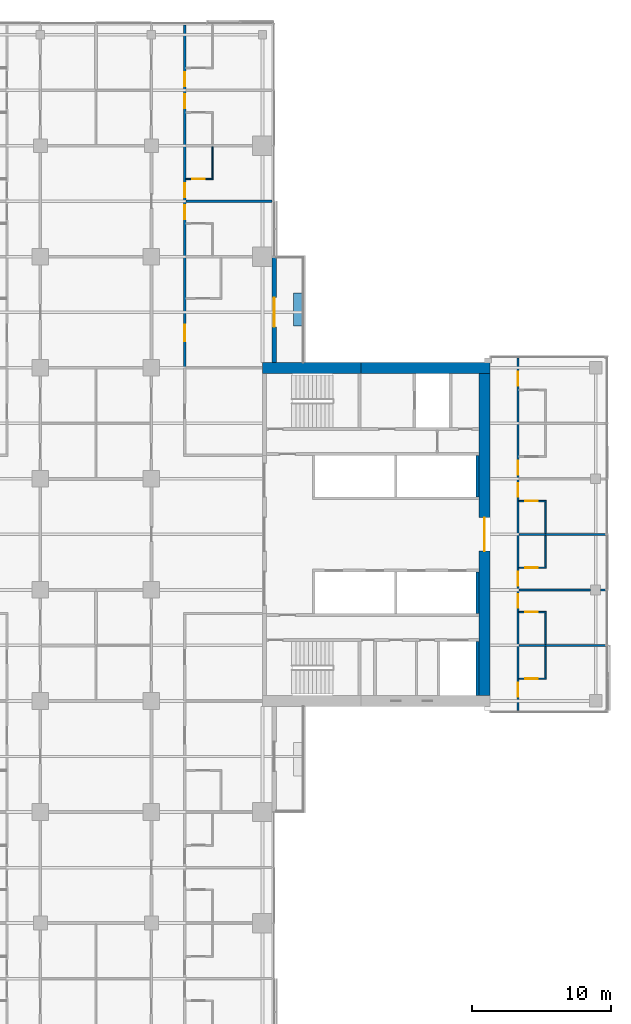
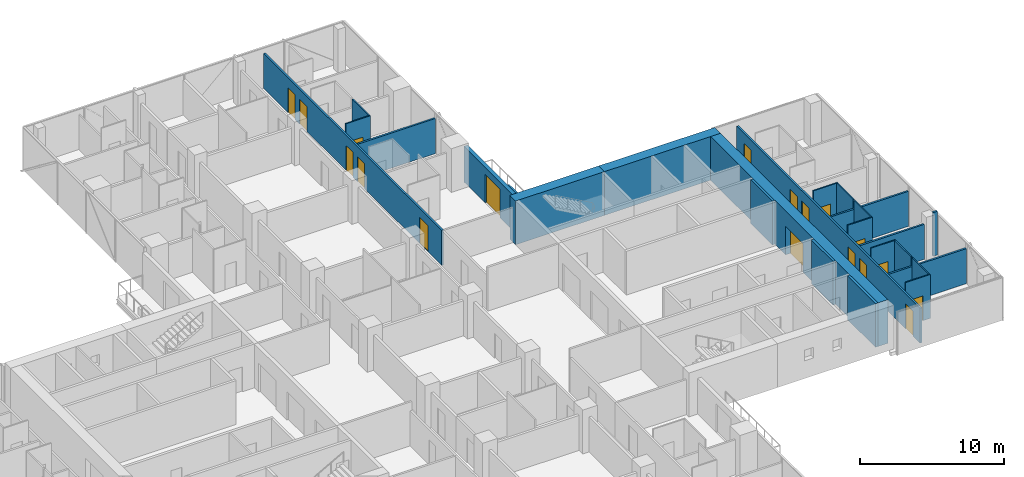
# One storey, part 22 of 29: 25 walls, 18 doors, 18 openings.
"""IFC4 building model written with IfcOpenShell, lengths in metres."""

from ifc_helpers import new_model, si_unit, direction, frame, frame_2d, origin, place, context, subcontext, project, spatial, rectangle, extrude, material, layer, layer_set, constituent, constituent_set, type_object, element, fill, save


model = new_model("IFC4")

# Units and contexts
model_context = context("Model", 3, precision=1e-05, world=origin(), true_north=direction((0.0, 1.0)))
body_context = subcontext(model_context, "Body", "Model", "MODEL_VIEW")
ifc_project = project(units=[si_unit("LENGTHUNIT", "METRE"), si_unit("AREAUNIT", "SQUARE_METRE"), si_unit("VOLUMEUNIT", "CUBIC_METRE"), si_unit("PLANEANGLEUNIT", "RADIAN"), si_unit("MASSUNIT", "GRAM", prefix="KILO")], contexts=[model_context])

# Site, building, storey
site_placement = place(None, origin())
site = spatial("IfcSite", under=ifc_project, at=site_placement, CompositionType="ELEMENT")
building_placement = place(site_placement, origin())
building = spatial("IfcBuilding", under=site, at=building_placement, Name="Crosswind Convention Tower", CompositionType="ELEMENT")
storey_placement = place(building_placement, frame((0.0, 0.0, 60.89990234375)))
storey = spatial("IfcBuildingStorey", under=building, at=storey_placement, Name="L09", CompositionType="ELEMENT", Elevation=60.89990234375)

# Wall, opening, door
ifc_material_1 = material(Name="Concrete C60/75", Category="concrete")
ifc_layer_1 = layer(ifc_material_1, 0.800048828125)
ifc_layer_set_1 = layer_set([ifc_layer_1], Name="Concrete C60/75")
wall_type_1 = type_object("IfcWallType", Name="Concrete core wall 800", PredefinedType="SHEAR", material=ifc_layer_set_1)
wall_1_placement = place(storey_placement, frame((153.0, 88.39990234375, 0.0), z_axis=(0.0, 0.0, 1.0), x_axis=(0.0, 1.0, 0.0)))
wall_1 = element("IfcWall", 1, at=wall_1_placement, inside=storey, type_object=wall_type_1, Name="Wall O E L09", PredefinedType="SHEAR", context=body_context, shape_type="SweptSolid", body=[
    extrude(rectangle(XDim=23.2001953125, YDim=0.800048828125, at=frame_2d((11.60009765625, 0.0))), origin(), (0.0, 0.0, 1.0), 3.7001953125),
])
opening_1_placement = place(wall_1_placement, frame((10.39990234375, 0.0, 0.0)))
opening_1 = element("IfcOpeningElement", 2, at=opening_1_placement, cuts=wall_1, Name="Opening D100", PredefinedType="OPENING", context=body_context, shape_type="SweptSolid", body=[
    extrude(rectangle(XDim=2.39990234375, YDim=2.39990234375, at=frame_2d((1.199951171875, 1.199951171875))), frame((0.0, 0.409912109375, 0.0), z_axis=(0.0, -1.0, 0.0), x_axis=(1.0, 0.0, 0.0)), (0.0, 0.0, 1.0), 0.820068359375),
])
ifc_material_2 = material(Name="Steel fire door with glazed vision panels", Category="steel")
door_type_1 = type_object("IfcDoorType", Name="Fire-rated double door 2400x2400", OperationType="DOUBLE_DOOR_SINGLE_SWING", PredefinedType="DOOR", material=ifc_material_2)
door_1_placement = place(opening_1_placement, origin())
door_1 = element("IfcDoor", 3, at=door_1_placement, inside=storey, type_object=door_type_1, Name="Lobby outer door L09", ObjectType="D100", OperationType="DOUBLE_DOOR_SINGLE_SWING", OverallHeight=2.39990234375, OverallWidth=2.39990234375, PredefinedType="DOOR", context=body_context, shape_type="SweptSolid", body=[
    extrude(rectangle(XDim=2.39990234375, YDim=2.39990234375, at=frame_2d((1.199951171875, 1.199951171875))), frame((0.0, 0.02490234375, 0.0), z_axis=(0.0, -1.0, 0.0), x_axis=(1.0, 0.0, 0.0)), (0.0, 0.0, 1.0), 0.050048828125),
])
fill(opening_1, door_1)

# Walls
ifc_material_3 = material(Name="Concrete C50/60", Category="concrete")
ifc_layer_2 = layer(ifc_material_3, 0.199951171875)
ifc_layer_set_2 = layer_set([ifc_layer_2], Name="Concrete C50/60")
wall_type_2 = type_object("IfcWallType", Name="Concrete shaft and stair wall 200", PredefinedType="SHEAR", material=ifc_layer_set_2)
for number, where, z_axis, x_axis, name in (
    (4, (152.5, 102.699951171875, 0.0), (0.0, 0.0, 1.0), (0.0, 1.0, 0.0), "Wall RPEAST E L09"),
    (5, (152.5, 94.300048828125, 0.0), (0.0, 0.0, 1.0), (0.0, 1.0, 0.0), "Wall RMEAST E L09"),
):
    element("IfcWall", number, at=place(storey_placement, frame(where, z_axis=z_axis, x_axis=x_axis)), inside=storey, type_object=wall_type_2, Name=name, PredefinedType="SHEAR", context=body_context, shape_type="SweptSolid", body=[
        extrude(rectangle(XDim=3.0, YDim=0.199951171875, at=frame_2d((1.5, 0.0))), origin(), (0.0, 0.0, 1.0), 3.7001953125),
    ])
wall_2_placement = place(storey_placement, frame((152.5, 88.39990234375, 0.0), z_axis=(0.0, 0.0, 1.0), x_axis=(0.0, 1.0, 0.0)))
element("IfcWall", 6, at=wall_2_placement, inside=storey, type_object=wall_type_2, Name="Wall MFSE E L09", PredefinedType="SHEAR", context=body_context, shape_type="SweptSolid", body=[
    extrude(rectangle(XDim=3.900146484375, YDim=0.199951171875, at=frame_2d((1.9501953125, 0.0))), origin(), (0.0, 0.0, 1.0), 3.7001953125),
])
ifc_material_4 = material(Name="Acoustic plasterboard partition", Category="gypsum")
ifc_layer_3 = layer(ifc_material_4, 0.14990234375)
ifc_layer_set_3 = layer_set([ifc_layer_3], Name="GUEST ROOM WALL 150")
wall_type_3 = type_object("IfcWallType", Name="GUEST ROOM WALL 150", PredefinedType="PARTITIONING", material=ifc_layer_set_3)
wall_3_placement = place(storey_placement, frame((155.47509765625, 92.0, 0.0), z_axis=(0.0, 0.0, 1.0), x_axis=(1.0, 0.0, 0.0)))
element("IfcWall", 7, at=wall_3_placement, inside=storey, type_object=wall_type_3, Name="Guest Room Wall 30", PredefinedType="PARTITIONING", context=body_context, shape_type="SweptSolid", body=[
    extrude(rectangle(XDim=6.224853515625, YDim=0.14990234375, at=frame_2d((3.1123046875, 0.0))), origin(), (0.0, 0.0, 1.0), 2.962890625),
])
wall_4_placement = place(storey_placement, frame((155.47509765625, 96.0, 0.0), z_axis=(0.0, 0.0, 1.0), x_axis=(1.0, 0.0, 0.0)))
element("IfcWall", 8, at=wall_4_placement, inside=storey, type_object=wall_type_3, Name="Guest Room Wall 39", PredefinedType="PARTITIONING", context=body_context, shape_type="SweptSolid", body=[
    extrude(rectangle(XDim=5.1748046875, YDim=0.14990234375, at=frame_2d((2.58740234375, 0.0))), origin(), (0.0, 0.0, 1.0), 2.95654296875),
])
wall_5_placement = place(storey_placement, frame((161.35009765625, 96.0, 0.0), z_axis=(0.0, 0.0, 1.0), x_axis=(1.0, 0.0, 0.0)))
element("IfcWall", 9, at=wall_5_placement, inside=storey, type_object=wall_type_3, Name="Guest Room Wall 40", PredefinedType="PARTITIONING", context=body_context, shape_type="SweptSolid", body=[
    extrude(rectangle(XDim=0.349853515625, YDim=0.14990234375, at=frame_2d((0.1748046875, 0.0))), origin(), (0.0, 0.0, 1.0), 3.7001953125),
])
for number, where, z_axis, x_axis, name in (
    (10, (155.47509765625, 100.0, 0.0), (0.0, 0.0, 1.0), (1.0, 0.0, 0.0), "Guest Room Wall 44"),
    (11, (131.47509765625, 124.0, 0.0), (0.0, 0.0, 1.0), (1.0, 0.0, 0.0), "Guest Room Wall 72"),
):
    element("IfcWall", number, at=place(storey_placement, frame(where, z_axis=z_axis, x_axis=x_axis)), inside=storey, type_object=wall_type_3, Name=name, PredefinedType="PARTITIONING", context=body_context, shape_type="SweptSolid", body=[
        extrude(rectangle(XDim=6.224853515625, YDim=0.14990234375, at=frame_2d((3.1123046875, 0.0))), origin(), (0.0, 0.0, 1.0), 2.962890625),
    ])

# Wall, openings, doors
wall_6_placement = place(storey_placement, frame((131.39990234375, 112.0, 0.0), z_axis=(0.0, 0.0, 1.0), x_axis=(0.0, 1.0, 0.0)))
wall_6 = element("IfcWall", 12, at=wall_6_placement, inside=storey, type_object=wall_type_3, Name="Guest Room Wall 142", PredefinedType="PARTITIONING", context=body_context, shape_type="SweptSolid", body=[
    extrude(rectangle(XDim=24.699951171875, YDim=0.14990234375, at=frame_2d((12.35009765625, 0.0))), origin(), (0.0, 0.0, 1.0), 2.95654296875),
])
opening_2_placement = place(wall_6_placement, frame((1.89990234375, 0.0, 0.0)))
opening_2 = element("IfcOpeningElement", 13, at=opening_2_placement, cuts=wall_6, Name="Opening 09.005", PredefinedType="OPENING", context=body_context, shape_type="SweptSolid", body=[
    extrude(rectangle(XDim=1.199951171875, YDim=2.199951171875, at=frame_2d((0.60009765625, 1.10009765625))), frame((0.0, 0.0849609375, 0.0), z_axis=(0.0, -1.0, 0.0), x_axis=(1.0, 0.0, 0.0)), (0.0, 0.0, 1.0), 0.169921875),
])
opening_3_placement = place(wall_6_placement, frame((10.699951171875, 0.0, 0.0)))
opening_3 = element("IfcOpeningElement", 14, at=opening_3_placement, cuts=wall_6, Name="Opening 09.007", PredefinedType="OPENING", context=body_context, shape_type="SweptSolid", body=[
    extrude(rectangle(XDim=1.0, YDim=2.10009765625, at=frame_2d((0.5, 1.050048828125))), frame((0.0, 0.0849609375, 0.0), z_axis=(0.0, -1.0, 0.0), x_axis=(1.0, 0.0, 0.0)), (0.0, 0.0, 1.0), 0.169921875),
])
opening_4_placement = place(wall_6_placement, frame((12.300048828125, 0.0, 0.0)))
opening_4 = element("IfcOpeningElement", 15, at=opening_4_placement, cuts=wall_6, Name="Opening 09.009", PredefinedType="OPENING", context=body_context, shape_type="SweptSolid", body=[
    extrude(rectangle(XDim=1.0, YDim=2.10009765625, at=frame_2d((0.5, 1.050048828125))), frame((0.0, 0.0849609375, 0.0), z_axis=(0.0, -1.0, 0.0), x_axis=(1.0, 0.0, 0.0)), (0.0, 0.0, 1.0), 0.169921875),
])
opening_5_placement = place(wall_6_placement, frame((18.699951171875, 0.0, 0.0)))
opening_5 = element("IfcOpeningElement", 16, at=opening_5_placement, cuts=wall_6, Name="Opening 09.011", PredefinedType="OPENING", context=body_context, shape_type="SweptSolid", body=[
    extrude(rectangle(XDim=1.0, YDim=2.10009765625, at=frame_2d((0.5, 1.050048828125))), frame((0.0, 0.0849609375, 0.0), z_axis=(0.0, -1.0, 0.0), x_axis=(1.0, 0.0, 0.0)), (0.0, 0.0, 1.0), 0.169921875),
])
opening_6_placement = place(wall_6_placement, frame((20.300048828125, 0.0, 0.0)))
opening_6 = element("IfcOpeningElement", 17, at=opening_6_placement, cuts=wall_6, Name="Opening 09.013", PredefinedType="OPENING", context=body_context, shape_type="SweptSolid", body=[
    extrude(rectangle(XDim=1.0, YDim=2.10009765625, at=frame_2d((0.5, 1.050048828125))), frame((0.0, 0.0849609375, 0.0), z_axis=(0.0, -1.0, 0.0), x_axis=(1.0, 0.0, 0.0)), (0.0, 0.0, 1.0), 0.169921875),
])
ifc_material_5 = material(Name="Timber fire door", Category="wood")
door_type_2 = type_object("IfcDoorType", Name="GUEST ROOM DOOR 1000X2100", OperationType="NOTDEFINED", PredefinedType="DOOR", material=ifc_material_5)
door_2_placement = place(opening_3_placement, frame((1.0, 0.0, 0.0), z_axis=(0.0, 0.0, 1.0), x_axis=(-1.0, 0.0, 0.0)))
door_2 = element("IfcDoor", 18, at=door_2_placement, inside=storey, type_object=door_type_2, Name="Door 09.007", ObjectType="D1", OperationType="SINGLE_SWING_LEFT", OverallHeight=2.10009765625, OverallWidth=1.0, PredefinedType="DOOR", context=body_context, shape_type="SweptSolid", body=[
    extrude(rectangle(XDim=1.0, YDim=2.10009765625, at=frame_2d((0.5, 1.050048828125))), frame((0.0, 0.02490234375, 0.0), z_axis=(0.0, -1.0, 0.0), x_axis=(1.0, 0.0, 0.0)), (0.0, 0.0, 1.0), 0.050048828125),
])
fill(opening_3, door_2)
door_3_placement = place(opening_4_placement, frame((1.0, 0.0, 0.0), z_axis=(0.0, 0.0, 1.0), x_axis=(-1.0, 0.0, 0.0)))
door_3 = element("IfcDoor", 19, at=door_3_placement, inside=storey, type_object=door_type_2, Name="Door 09.009", ObjectType="D1", OperationType="SINGLE_SWING_LEFT", OverallHeight=2.10009765625, OverallWidth=1.0, PredefinedType="DOOR", context=body_context, shape_type="SweptSolid", body=[
    extrude(rectangle(XDim=1.0, YDim=2.10009765625, at=frame_2d((0.5, 1.050048828125))), frame((0.0, 0.02490234375, 0.0), z_axis=(0.0, -1.0, 0.0), x_axis=(1.0, 0.0, 0.0)), (0.0, 0.0, 1.0), 0.050048828125),
])
fill(opening_4, door_3)
door_4_placement = place(opening_5_placement, frame((1.0, 0.0, 0.0), z_axis=(0.0, 0.0, 1.0), x_axis=(-1.0, 0.0, 0.0)))
door_4 = element("IfcDoor", 20, at=door_4_placement, inside=storey, type_object=door_type_2, Name="Door 09.011", ObjectType="D1", OperationType="SINGLE_SWING_LEFT", OverallHeight=2.10009765625, OverallWidth=1.0, PredefinedType="DOOR", context=body_context, shape_type="SweptSolid", body=[
    extrude(rectangle(XDim=1.0, YDim=2.10009765625, at=frame_2d((0.5, 1.050048828125))), frame((0.0, 0.02490234375, 0.0), z_axis=(0.0, -1.0, 0.0), x_axis=(1.0, 0.0, 0.0)), (0.0, 0.0, 1.0), 0.050048828125),
])
fill(opening_5, door_4)
door_5_placement = place(opening_6_placement, frame((1.0, 0.0, 0.0), z_axis=(0.0, 0.0, 1.0), x_axis=(-1.0, 0.0, 0.0)))
door_5 = element("IfcDoor", 21, at=door_5_placement, inside=storey, type_object=door_type_2, Name="Door 09.013", ObjectType="D1", OperationType="SINGLE_SWING_LEFT", OverallHeight=2.10009765625, OverallWidth=1.0, PredefinedType="DOOR", context=body_context, shape_type="SweptSolid", body=[
    extrude(rectangle(XDim=1.0, YDim=2.10009765625, at=frame_2d((0.5, 1.050048828125))), frame((0.0, 0.02490234375, 0.0), z_axis=(0.0, -1.0, 0.0), x_axis=(1.0, 0.0, 0.0)), (0.0, 0.0, 1.0), 0.050048828125),
])
fill(opening_6, door_5)
door_type_3 = type_object("IfcDoorType", Name="SUITE DOOR 1200X2200", OperationType="DOUBLE_DOOR_SINGLE_SWING", PredefinedType="DOOR", material=ifc_material_5)
door_6_placement = place(opening_2_placement, frame((1.199951171875, 0.0, 0.0), z_axis=(0.0, 0.0, 1.0), x_axis=(-1.0, 0.0, 0.0)))
door_6 = element("IfcDoor", 22, at=door_6_placement, inside=storey, type_object=door_type_3, Name="Door 09.005", ObjectType="D14", OperationType="DOUBLE_DOOR_SINGLE_SWING", OverallHeight=2.199951171875, OverallWidth=1.199951171875, PredefinedType="DOOR", context=body_context, shape_type="SweptSolid", body=[
    extrude(rectangle(XDim=1.199951171875, YDim=2.199951171875, at=frame_2d((0.60009765625, 1.10009765625))), frame((0.0, 0.02490234375, 0.0), z_axis=(0.0, -1.0, 0.0), x_axis=(1.0, 0.0, 0.0)), (0.0, 0.0, 1.0), 0.050048828125),
])
fill(opening_2, door_6)

wall_7_placement = place(storey_placement, frame((155.39990234375, 87.300048828125, 0.0), z_axis=(0.0, 0.0, 1.0), x_axis=(0.0, 1.0, 0.0)))
wall_7 = element("IfcWall", 23, at=wall_7_placement, inside=storey, type_object=wall_type_3, Name="Guest Room Wall 153", PredefinedType="PARTITIONING", context=body_context, shape_type="SweptSolid", body=[
    extrude(rectangle(XDim=25.39990234375, YDim=0.14990234375, at=frame_2d((12.699951171875, 0.0))), origin(), (0.0, 0.0, 1.0), 2.95654296875),
])
opening_7_placement = place(wall_7_placement, frame((1.0, 0.0, 0.0)))
opening_7 = element("IfcOpeningElement", 24, at=opening_7_placement, cuts=wall_7, Name="Opening 09.045", PredefinedType="OPENING", context=body_context, shape_type="SweptSolid", body=[
    extrude(rectangle(XDim=1.0, YDim=2.10009765625, at=frame_2d((0.5, 1.050048828125))), frame((0.0, 0.0849609375, 0.0), z_axis=(0.0, -1.0, 0.0), x_axis=(1.0, 0.0, 0.0)), (0.0, 0.0, 1.0), 0.169921875),
])
opening_8_placement = place(wall_7_placement, frame((7.39990234375, 0.0, 0.0)))
opening_8 = element("IfcOpeningElement", 25, at=opening_8_placement, cuts=wall_7, Name="Opening 09.047", PredefinedType="OPENING", context=body_context, shape_type="SweptSolid", body=[
    extrude(rectangle(XDim=1.0, YDim=2.10009765625, at=frame_2d((0.5, 1.050048828125))), frame((0.0, 0.0849609375, 0.0), z_axis=(0.0, -1.0, 0.0), x_axis=(1.0, 0.0, 0.0)), (0.0, 0.0, 1.0), 0.169921875),
])
opening_9_placement = place(wall_7_placement, frame((9.0, 0.0, 0.0)))
opening_9 = element("IfcOpeningElement", 26, at=opening_9_placement, cuts=wall_7, Name="Opening 09.049", PredefinedType="OPENING", context=body_context, shape_type="SweptSolid", body=[
    extrude(rectangle(XDim=1.0, YDim=2.10009765625, at=frame_2d((0.5, 1.050048828125))), frame((0.0, 0.0849609375, 0.0), z_axis=(0.0, -1.0, 0.0), x_axis=(1.0, 0.0, 0.0)), (0.0, 0.0, 1.0), 0.169921875),
])
opening_10_placement = place(wall_7_placement, frame((15.39990234375, 0.0, 0.0)))
opening_10 = element("IfcOpeningElement", 27, at=opening_10_placement, cuts=wall_7, Name="Opening 09.051", PredefinedType="OPENING", context=body_context, shape_type="SweptSolid", body=[
    extrude(rectangle(XDim=1.0, YDim=2.10009765625, at=frame_2d((0.5, 1.050048828125))), frame((0.0, 0.0849609375, 0.0), z_axis=(0.0, -1.0, 0.0), x_axis=(1.0, 0.0, 0.0)), (0.0, 0.0, 1.0), 0.169921875),
])
opening_11_placement = place(wall_7_placement, frame((17.0, 0.0, 0.0)))
opening_11 = element("IfcOpeningElement", 28, at=opening_11_placement, cuts=wall_7, Name="Opening 09.053", PredefinedType="OPENING", context=body_context, shape_type="SweptSolid", body=[
    extrude(rectangle(XDim=1.0, YDim=2.10009765625, at=frame_2d((0.5, 1.050048828125))), frame((0.0, 0.0849609375, 0.0), z_axis=(0.0, -1.0, 0.0), x_axis=(1.0, 0.0, 0.0)), (0.0, 0.0, 1.0), 0.169921875),
])
opening_12_placement = place(wall_7_placement, frame((23.39990234375, 0.0, 0.0)))
opening_12 = element("IfcOpeningElement", 29, at=opening_12_placement, cuts=wall_7, Name="Opening 09.055", PredefinedType="OPENING", context=body_context, shape_type="SweptSolid", body=[
    extrude(rectangle(XDim=1.0, YDim=2.10009765625, at=frame_2d((0.5, 1.050048828125))), frame((0.0, 0.0849609375, 0.0), z_axis=(0.0, -1.0, 0.0), x_axis=(1.0, 0.0, 0.0)), (0.0, 0.0, 1.0), 0.169921875),
])
door_7_placement = place(opening_7_placement, frame((1.0, 0.0, 0.0), z_axis=(0.0, 0.0, 1.0), x_axis=(-1.0, 0.0, 0.0)))
door_7 = element("IfcDoor", 30, at=door_7_placement, inside=storey, type_object=door_type_2, Name="Door 09.045", ObjectType="D1", OperationType="SINGLE_SWING_LEFT", OverallHeight=2.10009765625, OverallWidth=1.0, PredefinedType="DOOR", context=body_context, shape_type="SweptSolid", body=[
    extrude(rectangle(XDim=1.0, YDim=2.10009765625, at=frame_2d((0.5, 1.050048828125))), frame((0.0, 0.02490234375, 0.0), z_axis=(0.0, -1.0, 0.0), x_axis=(1.0, 0.0, 0.0)), (0.0, 0.0, 1.0), 0.050048828125),
])
fill(opening_7, door_7)
door_8_placement = place(opening_8_placement, frame((1.0, 0.0, 0.0), z_axis=(0.0, 0.0, 1.0), x_axis=(-1.0, 0.0, 0.0)))
door_8 = element("IfcDoor", 31, at=door_8_placement, inside=storey, type_object=door_type_2, Name="Door 09.047", ObjectType="D1", OperationType="SINGLE_SWING_LEFT", OverallHeight=2.10009765625, OverallWidth=1.0, PredefinedType="DOOR", context=body_context, shape_type="SweptSolid", body=[
    extrude(rectangle(XDim=1.0, YDim=2.10009765625, at=frame_2d((0.5, 1.050048828125))), frame((0.0, 0.02490234375, 0.0), z_axis=(0.0, -1.0, 0.0), x_axis=(1.0, 0.0, 0.0)), (0.0, 0.0, 1.0), 0.050048828125),
])
fill(opening_8, door_8)
door_9_placement = place(opening_9_placement, frame((1.0, 0.0, 0.0), z_axis=(0.0, 0.0, 1.0), x_axis=(-1.0, 0.0, 0.0)))
door_9 = element("IfcDoor", 32, at=door_9_placement, inside=storey, type_object=door_type_2, Name="Door 09.049", ObjectType="D1", OperationType="SINGLE_SWING_LEFT", OverallHeight=2.10009765625, OverallWidth=1.0, PredefinedType="DOOR", context=body_context, shape_type="SweptSolid", body=[
    extrude(rectangle(XDim=1.0, YDim=2.10009765625, at=frame_2d((0.5, 1.050048828125))), frame((0.0, 0.02490234375, 0.0), z_axis=(0.0, -1.0, 0.0), x_axis=(1.0, 0.0, 0.0)), (0.0, 0.0, 1.0), 0.050048828125),
])
fill(opening_9, door_9)
door_10_placement = place(opening_10_placement, frame((1.0, 0.0, 0.0), z_axis=(0.0, 0.0, 1.0), x_axis=(-1.0, 0.0, 0.0)))
door_10 = element("IfcDoor", 33, at=door_10_placement, inside=storey, type_object=door_type_2, Name="Door 09.051", ObjectType="D1", OperationType="SINGLE_SWING_LEFT", OverallHeight=2.10009765625, OverallWidth=1.0, PredefinedType="DOOR", context=body_context, shape_type="SweptSolid", body=[
    extrude(rectangle(XDim=1.0, YDim=2.10009765625, at=frame_2d((0.5, 1.050048828125))), frame((0.0, 0.02490234375, 0.0), z_axis=(0.0, -1.0, 0.0), x_axis=(1.0, 0.0, 0.0)), (0.0, 0.0, 1.0), 0.050048828125),
])
fill(opening_10, door_10)
door_11_placement = place(opening_11_placement, frame((1.0, 0.0, 0.0), z_axis=(0.0, 0.0, 1.0), x_axis=(-1.0, 0.0, 0.0)))
door_11 = element("IfcDoor", 34, at=door_11_placement, inside=storey, type_object=door_type_2, Name="Door 09.053", ObjectType="D1", OperationType="SINGLE_SWING_LEFT", OverallHeight=2.10009765625, OverallWidth=1.0, PredefinedType="DOOR", context=body_context, shape_type="SweptSolid", body=[
    extrude(rectangle(XDim=1.0, YDim=2.10009765625, at=frame_2d((0.5, 1.050048828125))), frame((0.0, 0.02490234375, 0.0), z_axis=(0.0, -1.0, 0.0), x_axis=(1.0, 0.0, 0.0)), (0.0, 0.0, 1.0), 0.050048828125),
])
fill(opening_11, door_11)
door_12_placement = place(opening_12_placement, frame((1.0, 0.0, 0.0), z_axis=(0.0, 0.0, 1.0), x_axis=(-1.0, 0.0, 0.0)))
door_12 = element("IfcDoor", 35, at=door_12_placement, inside=storey, type_object=door_type_2, Name="Door 09.055", ObjectType="D1", OperationType="SINGLE_SWING_RIGHT", OverallHeight=2.10009765625, OverallWidth=1.0, PredefinedType="DOOR", context=body_context, shape_type="SweptSolid", body=[
    extrude(rectangle(XDim=1.0, YDim=2.10009765625, at=frame_2d((0.5, 1.050048828125))), frame((0.0, 0.02490234375, 0.0), z_axis=(0.0, -1.0, 0.0), x_axis=(1.0, 0.0, 0.0)), (0.0, 0.0, 1.0), 0.050048828125),
])
fill(opening_12, door_12)

# Wall
ifc_material_6 = material(Name="Concrete C30/37", Category="concrete")
ifc_layer_4 = layer(ifc_material_6, 0.60009765625)
ifc_layer_set_4 = layer_set([ifc_layer_4], Name="Concrete C30/37")
wall_type_4 = type_object("IfcWallType", Name="PLANTER BOX WALL 600", PredefinedType="SOLIDWALL", material=ifc_layer_set_4)
wall_8_placement = place(storey_placement, frame((139.550048828125, 115.0, 0.0), z_axis=(0.0, 0.0, 1.0), x_axis=(0.0, 1.0, 0.0)))
element("IfcWall", 36, at=wall_8_placement, inside=storey, type_object=wall_type_4, Name="PLANTER L09 N-E.1-1", PredefinedType="SOLIDWALL", context=body_context, shape_type="SweptSolid", body=[
    extrude(rectangle(XDim=2.39990234375, YDim=0.60009765625, at=frame_2d((1.199951171875, 0.0))), origin(), (0.0, 0.0, 1.0), 0.60009765625),
])

# Wall, opening, door
ifc_material_7 = material(Name="Terracotta rainscreen", Category="ceramic")
ifc_layer_5 = layer(ifc_material_7, 0.02001953125)
ifc_material_8 = material(Name="Mineral wool insulation", Category="insulation")
ifc_layer_6 = layer(ifc_material_8, 0.10009765625)
ifc_material_9 = material(Name="Concrete blockwork", Category="masonry")
ifc_layer_7 = layer(ifc_material_9, 0.179931640625)
ifc_layer_set_5 = layer_set([ifc_layer_5, ifc_layer_6, ifc_layer_7], Name="TERRACOTTA INFILL WALL 300")
wall_type_5 = type_object("IfcWallType", Name="TERRACOTTA INFILL WALL 300", PredefinedType="SOLIDWALL", material=ifc_layer_set_5)
wall_9_placement = place(storey_placement, frame((137.85009765625, 112.39990234375, 0.0), z_axis=(0.0, 0.0, 1.0), x_axis=(0.0, 1.0, 0.0)))
wall_9 = element("IfcWall", 37, at=wall_9_placement, inside=storey, type_object=wall_type_5, Name="Notch front wall L09 N-E.1-1", PredefinedType="SOLIDWALL", context=body_context, shape_type="SweptSolid", body=[
    extrude(rectangle(XDim=7.567626953125, YDim=0.300048828125, at=frame_2d((3.78369140625, 0.0))), origin(), (0.0, 0.0, 1.0), 3.013671875),
])
opening_13_placement = place(wall_9_placement, frame((2.550048828125, 0.0, 0.0)))
opening_13 = element("IfcOpeningElement", 38, at=opening_13_placement, cuts=wall_9, Name="Opening D141", PredefinedType="OPENING", context=body_context, shape_type="SweptSolid", body=[
    extrude(rectangle(XDim=2.10009765625, YDim=2.39990234375, at=frame_2d((1.050048828125, 1.199951171875))), frame((0.0, 0.159912109375, 0.0), z_axis=(0.0, -1.0, 0.0), x_axis=(1.0, 0.0, 0.0)), (0.0, 0.0, 1.0), 0.320068359375),
])
ifc_material_10 = material(Name="Aluminium glazed door", Category="aluminium")
door_type_4 = type_object("IfcDoorType", Name="BALCONY SLIDING DOOR 2100X2400", OperationType="SLIDING_TO_LEFT", PredefinedType="DOOR", material=ifc_material_10)
door_13_placement = place(opening_13_placement, frame((2.10009765625, 0.0, 0.0), z_axis=(0.0, 0.0, 1.0), x_axis=(-1.0, 0.0, 0.0)))
door_13 = element("IfcDoor", 39, at=door_13_placement, inside=storey, type_object=door_type_4, Name="D141 balcony door L09 N-E.1-1", ObjectType="D141", OperationType="SLIDING_TO_LEFT", OverallHeight=2.39990234375, OverallWidth=2.10009765625, PredefinedType="DOOR", context=body_context, shape_type="SweptSolid", body=[
    extrude(rectangle(XDim=2.10009765625, YDim=2.39990234375, at=frame_2d((1.050048828125, 1.199951171875))), frame((0.0, 0.02490234375, 0.0), z_axis=(0.0, -1.0, 0.0), x_axis=(1.0, 0.0, 0.0)), (0.0, 0.0, 1.0), 0.050048828125),
])
fill(opening_13, door_13)

# Walls
ifc_constituent_1 = constituent(ifc_material_1, Name="Structure")
ifc_constituent_2 = constituent(ifc_material_7, Name="Facing")
ifc_constituent_set = constituent_set(constituents=[ifc_constituent_1, ifc_constituent_2], Name="Concrete C60/75, Terracotta rainscreen")
wall_type_6 = type_object("IfcWallType", Name="Terracotta rainscreen on concrete core wall 800", PredefinedType="SHEAR", material=ifc_constituent_set)
wall_10_placement = place(storey_placement, frame((137.0, 112.0, 0.0), z_axis=(0.0, 0.0, 1.0), x_axis=(1.0, 0.0, 0.0)))
element("IfcWall", 40, at=wall_10_placement, inside=storey, type_object=wall_type_6, Name="Wall N1 E L09", PredefinedType="SHEAR", context=body_context, shape_type="SweptSolid", body=[
    extrude(rectangle(XDim=7.10009765625, YDim=0.800048828125, at=frame_2d((3.550048828125, 0.0))), origin(), (0.0, 0.0, 1.0), 3.7001953125),
])
wall_11_placement = place(storey_placement, frame((144.10009765625, 112.0, 0.0), z_axis=(0.0, 0.0, 1.0), x_axis=(1.0, 0.0, 0.0)))
element("IfcWall", 41, at=wall_11_placement, inside=storey, type_object=wall_type_6, Name="Wall N2 E L09", PredefinedType="SHEAR", context=body_context, shape_type="SweptSolid", body=[
    extrude(rectangle(XDim=9.2998046875, YDim=0.800048828125, at=frame_2d((4.64990234375, 0.0))), origin(), (0.0, 0.0, 1.0), 3.7001953125),
])

# Wall, opening, door
ifc_material_11 = material(Name="Water-resistant plasterboard partition", Category="gypsum")
ifc_layer_8 = layer(ifc_material_11, 0.10009765625)
ifc_layer_set_6 = layer_set([ifc_layer_8], Name="WET ROOM PARTITION 100")
wall_type_7 = type_object("IfcWallType", Name="WET ROOM PARTITION 100", PredefinedType="PLUMBINGWALL", material=ifc_layer_set_6)
wall_12_placement = place(storey_placement, frame((155.47509765625, 89.60009765625, 0.0), z_axis=(0.0, 0.0, 1.0), x_axis=(1.0, 0.0, 0.0)))
wall_12 = element("IfcWall", 42, at=wall_12_placement, inside=storey, type_object=wall_type_7, Name="Wet Room Partition 26", PredefinedType="PLUMBINGWALL", context=body_context, shape_type="SweptSolid", body=[
    extrude(rectangle(XDim=1.974853515625, YDim=0.10009765625, at=frame_2d((0.9873046875, 0.0))), origin(), (0.0, 0.0, 1.0), 3.7001953125),
])
opening_14_placement = place(wall_12_placement, frame((0.47509765625, 0.0, 0.0)))
opening_14 = element("IfcOpeningElement", 43, at=opening_14_placement, cuts=wall_12, Name="Opening 09.046", PredefinedType="OPENING", context=body_context, shape_type="SweptSolid", body=[
    extrude(rectangle(XDim=0.89990234375, YDim=2.10009765625, at=frame_2d((0.449951171875, 1.050048828125))), frame((0.0, 0.06005859375, 0.0), z_axis=(0.0, -1.0, 0.0), x_axis=(1.0, 0.0, 0.0)), (0.0, 0.0, 1.0), 0.1201171875),
])
ifc_material_12 = material(Name="Timber door", Category="wood")
door_type_5 = type_object("IfcDoorType", Name="EN-SUITE DOOR 900X2100", OperationType="NOTDEFINED", PredefinedType="DOOR", material=ifc_material_12)
door_14_placement = place(opening_14_placement, origin())
door_14 = element("IfcDoor", 44, at=door_14_placement, inside=storey, type_object=door_type_5, Name="Door 09.046", ObjectType="D2", OperationType="SINGLE_SWING_RIGHT", OverallHeight=2.10009765625, OverallWidth=0.89990234375, PredefinedType="DOOR", context=body_context, shape_type="SweptSolid", body=[
    extrude(rectangle(XDim=0.89990234375, YDim=2.10009765625, at=frame_2d((0.449951171875, 1.050048828125))), frame((0.0, 0.02490234375, 0.0), z_axis=(0.0, -1.0, 0.0), x_axis=(1.0, 0.0, 0.0)), (0.0, 0.0, 1.0), 0.050048828125),
])
fill(opening_14, door_14)

wall_13_placement = place(storey_placement, frame((155.47509765625, 94.39990234375, 0.0), z_axis=(0.0, 0.0, 1.0), x_axis=(1.0, 0.0, 0.0)))
wall_13 = element("IfcWall", 45, at=wall_13_placement, inside=storey, type_object=wall_type_7, Name="Wet Room Partition 34", PredefinedType="PLUMBINGWALL", context=body_context, shape_type="SweptSolid", body=[
    extrude(rectangle(XDim=1.974853515625, YDim=0.10009765625, at=frame_2d((0.9873046875, 0.0))), origin(), (0.0, 0.0, 1.0), 3.7001953125),
])
opening_15_placement = place(wall_13_placement, frame((0.47509765625, 0.0, 0.0)))
opening_15 = element("IfcOpeningElement", 46, at=opening_15_placement, cuts=wall_13, Name="Opening 09.048", PredefinedType="OPENING", context=body_context, shape_type="SweptSolid", body=[
    extrude(rectangle(XDim=0.89990234375, YDim=2.10009765625, at=frame_2d((0.449951171875, 1.050048828125))), frame((0.0, 0.06005859375, 0.0), z_axis=(0.0, -1.0, 0.0), x_axis=(1.0, 0.0, 0.0)), (0.0, 0.0, 1.0), 0.1201171875),
])
door_15_placement = place(opening_15_placement, frame((0.89990234375, 0.0, 0.0), z_axis=(0.0, 0.0, 1.0), x_axis=(-1.0, 0.0, 0.0)))
door_15 = element("IfcDoor", 47, at=door_15_placement, inside=storey, type_object=door_type_5, Name="Door 09.048", ObjectType="D2", OperationType="SINGLE_SWING_LEFT", OverallHeight=2.10009765625, OverallWidth=0.89990234375, PredefinedType="DOOR", context=body_context, shape_type="SweptSolid", body=[
    extrude(rectangle(XDim=0.89990234375, YDim=2.10009765625, at=frame_2d((0.449951171875, 1.050048828125))), frame((0.0, 0.02490234375, 0.0), z_axis=(0.0, -1.0, 0.0), x_axis=(1.0, 0.0, 0.0)), (0.0, 0.0, 1.0), 0.050048828125),
])
fill(opening_15, door_15)

wall_14_placement = place(storey_placement, frame((155.47509765625, 97.60009765625, 0.0), z_axis=(0.0, 0.0, 1.0), x_axis=(1.0, 0.0, 0.0)))
wall_14 = element("IfcWall", 48, at=wall_14_placement, inside=storey, type_object=wall_type_7, Name="Wet Room Partition 42", PredefinedType="PLUMBINGWALL", context=body_context, shape_type="SweptSolid", body=[
    extrude(rectangle(XDim=1.974853515625, YDim=0.10009765625, at=frame_2d((0.9873046875, 0.0))), origin(), (0.0, 0.0, 1.0), 3.7001953125),
])
opening_16_placement = place(wall_14_placement, frame((0.47509765625, 0.0, 0.0)))
opening_16 = element("IfcOpeningElement", 49, at=opening_16_placement, cuts=wall_14, Name="Opening 09.050", PredefinedType="OPENING", context=body_context, shape_type="SweptSolid", body=[
    extrude(rectangle(XDim=0.89990234375, YDim=2.10009765625, at=frame_2d((0.449951171875, 1.050048828125))), frame((0.0, 0.06005859375, 0.0), z_axis=(0.0, -1.0, 0.0), x_axis=(1.0, 0.0, 0.0)), (0.0, 0.0, 1.0), 0.1201171875),
])
door_16_placement = place(opening_16_placement, origin())
door_16 = element("IfcDoor", 50, at=door_16_placement, inside=storey, type_object=door_type_5, Name="Door 09.050", ObjectType="D2", OperationType="SINGLE_SWING_RIGHT", OverallHeight=2.10009765625, OverallWidth=0.89990234375, PredefinedType="DOOR", context=body_context, shape_type="SweptSolid", body=[
    extrude(rectangle(XDim=0.89990234375, YDim=2.10009765625, at=frame_2d((0.449951171875, 1.050048828125))), frame((0.0, 0.02490234375, 0.0), z_axis=(0.0, -1.0, 0.0), x_axis=(1.0, 0.0, 0.0)), (0.0, 0.0, 1.0), 0.050048828125),
])
fill(opening_16, door_16)

wall_15_placement = place(storey_placement, frame((155.47509765625, 102.39990234375, 0.0), z_axis=(0.0, 0.0, 1.0), x_axis=(1.0, 0.0, 0.0)))
wall_15 = element("IfcWall", 51, at=wall_15_placement, inside=storey, type_object=wall_type_7, Name="Wet Room Partition 46", PredefinedType="PLUMBINGWALL", context=body_context, shape_type="SweptSolid", body=[
    extrude(rectangle(XDim=1.974853515625, YDim=0.10009765625, at=frame_2d((0.9873046875, 0.0))), origin(), (0.0, 0.0, 1.0), 3.7001953125),
])
opening_17_placement = place(wall_15_placement, frame((0.47509765625, 0.0, 0.0)))
opening_17 = element("IfcOpeningElement", 52, at=opening_17_placement, cuts=wall_15, Name="Opening 09.052", PredefinedType="OPENING", context=body_context, shape_type="SweptSolid", body=[
    extrude(rectangle(XDim=0.89990234375, YDim=2.10009765625, at=frame_2d((0.449951171875, 1.050048828125))), frame((0.0, 0.06005859375, 0.0), z_axis=(0.0, -1.0, 0.0), x_axis=(1.0, 0.0, 0.0)), (0.0, 0.0, 1.0), 0.1201171875),
])
door_17_placement = place(opening_17_placement, frame((0.89990234375, 0.0, 0.0), z_axis=(0.0, 0.0, 1.0), x_axis=(-1.0, 0.0, 0.0)))
door_17 = element("IfcDoor", 53, at=door_17_placement, inside=storey, type_object=door_type_5, Name="Door 09.052", ObjectType="D2", OperationType="SINGLE_SWING_LEFT", OverallHeight=2.10009765625, OverallWidth=0.89990234375, PredefinedType="DOOR", context=body_context, shape_type="SweptSolid", body=[
    extrude(rectangle(XDim=0.89990234375, YDim=2.10009765625, at=frame_2d((0.449951171875, 1.050048828125))), frame((0.0, 0.02490234375, 0.0), z_axis=(0.0, -1.0, 0.0), x_axis=(1.0, 0.0, 0.0)), (0.0, 0.0, 1.0), 0.050048828125),
])
fill(opening_17, door_17)

wall_16_placement = place(storey_placement, frame((131.47509765625, 125.60009765625, 0.0), z_axis=(0.0, 0.0, 1.0), x_axis=(1.0, 0.0, 0.0)))
wall_16 = element("IfcWall", 54, at=wall_16_placement, inside=storey, type_object=wall_type_7, Name="Wet Room Partition 74", PredefinedType="PLUMBINGWALL", context=body_context, shape_type="SweptSolid", body=[
    extrude(rectangle(XDim=1.974853515625, YDim=0.10009765625, at=frame_2d((0.9873046875, 0.0))), origin(), (0.0, 0.0, 1.0), 3.7001953125),
])
opening_18_placement = place(wall_16_placement, frame((0.47509765625, 0.0, 0.0)))
opening_18 = element("IfcOpeningElement", 55, at=opening_18_placement, cuts=wall_16, Name="Opening 09.010", PredefinedType="OPENING", context=body_context, shape_type="SweptSolid", body=[
    extrude(rectangle(XDim=0.89990234375, YDim=2.10009765625, at=frame_2d((0.449951171875, 1.050048828125))), frame((0.0, 0.06005859375, 0.0), z_axis=(0.0, -1.0, 0.0), x_axis=(1.0, 0.0, 0.0)), (0.0, 0.0, 1.0), 0.1201171875),
])
door_18_placement = place(opening_18_placement, origin())
door_18 = element("IfcDoor", 56, at=door_18_placement, inside=storey, type_object=door_type_5, Name="Door 09.010", ObjectType="D2", OperationType="SINGLE_SWING_RIGHT", OverallHeight=2.10009765625, OverallWidth=0.89990234375, PredefinedType="DOOR", context=body_context, shape_type="SweptSolid", body=[
    extrude(rectangle(XDim=0.89990234375, YDim=2.10009765625, at=frame_2d((0.449951171875, 1.050048828125))), frame((0.0, 0.02490234375, 0.0), z_axis=(0.0, -1.0, 0.0), x_axis=(1.0, 0.0, 0.0)), (0.0, 0.0, 1.0), 0.050048828125),
])
fill(opening_18, door_18)

# Walls
for number, where, z_axis, x_axis, name in (
    (57, (133.39990234375, 125.64990234375, 0.0), (0.0, 0.0, 1.0), (0.0, 1.0, 0.0), "Wet Room Partition 148"),
    (58, (157.39990234375, 89.64990234375, 0.0), (0.0, 0.0, 1.0), (0.0, 1.0, 0.0), "Wet Room Partition 154"),
    (59, (157.39990234375, 92.074951171875, 0.0), (0.0, 0.0, 1.0), (0.0, 1.0, 0.0), "Wet Room Partition 155"),
    (60, (157.39990234375, 97.64990234375, 0.0), (0.0, 0.0, 1.0), (0.0, 1.0, 0.0), "Wet Room Partition 156"),
    (61, (157.39990234375, 100.074951171875, 0.0), (0.0, 0.0, 1.0), (0.0, 1.0, 0.0), "Wet Room Partition 157"),
):
    element("IfcWall", number, at=place(storey_placement, frame(where, z_axis=z_axis, x_axis=x_axis)), inside=storey, type_object=wall_type_7, Name=name, PredefinedType="PLUMBINGWALL", context=body_context, shape_type="SweptSolid", body=[
        extrude(rectangle(XDim=2.275146484375, YDim=0.10009765625, at=frame_2d((1.1376953125, 0.0))), origin(), (0.0, 0.0, 1.0), 3.7001953125),
    ])

save(model, "model.ifc")
